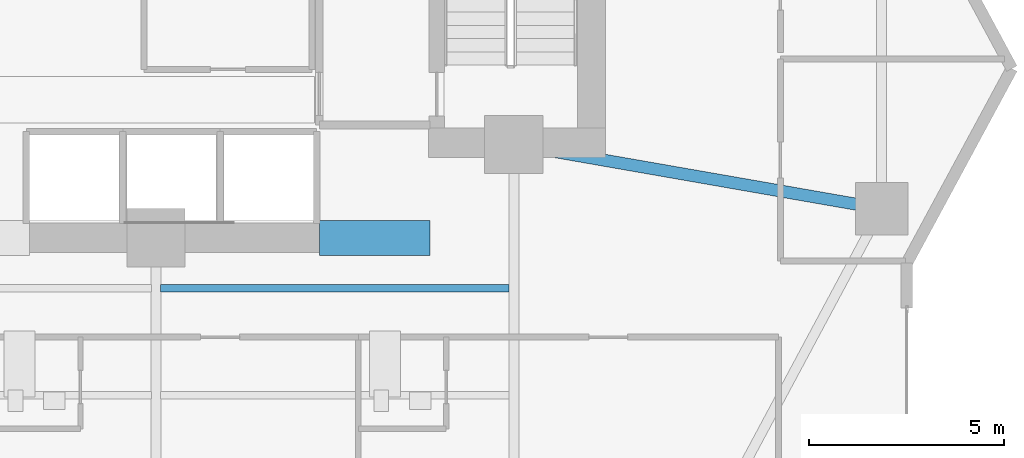
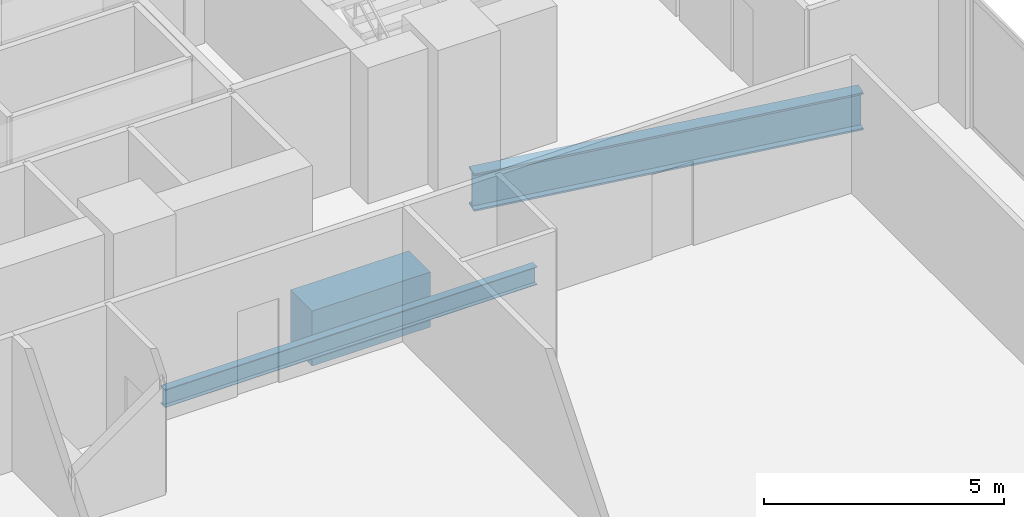
# One storey, part 12 of 27: 3 beams.
"""IFC4 building model written with IfcOpenShell, lengths in metres."""

from ifc_helpers import new_model, si_unit, direction, frame, origin, origin_2d, place, context, subcontext, project, spatial, rectangle, i_section, extrude, material, material_profile, profile_set, type_object, element, save


model = new_model("IFC4")

# Units and contexts
model_context = context("Model", 3, precision=1e-05, world=origin(), true_north=direction((0.0, 1.0)))
body_context = subcontext(model_context, "Body", "Model", "MODEL_VIEW")
ifc_project = project(units=[si_unit("LENGTHUNIT", "METRE"), si_unit("AREAUNIT", "SQUARE_METRE"), si_unit("VOLUMEUNIT", "CUBIC_METRE"), si_unit("PLANEANGLEUNIT", "RADIAN"), si_unit("MASSUNIT", "GRAM", prefix="KILO")], contexts=[model_context])

# Site, building, storey
site_placement = place(None, origin())
site = spatial("IfcSite", under=ifc_project, at=site_placement, CompositionType="ELEMENT")
building_placement = place(site_placement, origin())
building = spatial("IfcBuilding", under=site, at=building_placement, Name="Zuhayl Quay Hotel", CompositionType="ELEMENT")
storey_placement = place(building_placement, frame((0.0, 0.0, 117.550048828125)))
storey = spatial("IfcBuildingStorey", under=building, at=storey_placement, Name="L29", CompositionType="ELEMENT", Elevation=117.550048828125)

# Beams
ifc_material_1 = material(Name="Concrete C60/75", Category="concrete")
ifc_material_profile_1 = material_profile(ifc_material_1, rectangle(XDim=0.89990234375, YDim=1.39990234375, at=origin_2d()), Name="RC900X1400")
ifc_profile_set_1 = profile_set([ifc_material_profile_1], Name="Concrete C60/75")
beam_type_1 = type_object("IfcBeamType", Name="BM_CB1_RC900", PredefinedType="T_BEAM", material=ifc_profile_set_1)
beam_1_placement = place(storey_placement, frame((8.800048828125, 2.14990234375, -0.920166015625), z_axis=(1.0, 0.0, 0.0), x_axis=(0.0, 1.0, 0.0)))
element("IfcBeam", 1, at=beam_1_placement, inside=storey, type_object=beam_type_1, Name="L29 Core Coupling Beam SE", PredefinedType="T_BEAM", context=body_context, shape_type="SweptSolid", body=[
    extrude(rectangle(XDim=0.89990234375, YDim=1.39990234375, at=origin_2d()), origin(), (0.0, 0.0, 1.0), 2.849853515625),
])
ifc_material_2 = material(Name="Steel ASTM A992 Grade 50", Category="steel")
ifc_material_profile_2 = material_profile(ifc_material_2, i_section(OverallWidth=0.18994140625, OverallDepth=0.45703125, WebThickness=0.009033203125, FlangeThickness=0.014404296875, at=origin_2d()), Name="W18X50")
ifc_profile_set_2 = profile_set([ifc_material_profile_2], Name="Steel ASTM A992 Grade 50")
beam_type_2 = type_object("IfcBeamType", Name="BM_J2_W18X50", PredefinedType="JOIST", material=ifc_profile_set_2)
beam_2_placement = place(storey_placement, frame((4.718994140625, 0.85009765625, -0.448486328125), z_axis=(1.0, 0.0, 0.0), x_axis=(0.0, 1.0, 0.0)))
element("IfcBeam", 2, at=beam_2_placement, inside=storey, type_object=beam_type_2, Name="L29 Floor Beam FJ_L29_9_3", PredefinedType="JOIST", context=body_context, shape_type="SweptSolid", body=[
    extrude(i_section(OverallWidth=0.18994140625, OverallDepth=0.45703125, WebThickness=0.009033203125, FlangeThickness=0.014404296875, at=origin_2d()), origin(), (0.0, 0.0, 1.0), 8.9619140625),
])
ifc_material_profile_3 = material_profile(ifc_material_2, i_section(OverallWidth=0.31005859375, OverallDepth=0.949951171875, WebThickness=0.0244140625, FlangeThickness=0.0439453125, at=origin_2d()), Name="W36X256")
ifc_profile_set_3 = profile_set([ifc_material_profile_3], Name="Steel ASTM A992 Grade 50")
beam_type_3 = type_object("IfcBeamType", Name="BM_PG1_W36X256", PredefinedType="BEAM", material=ifc_profile_set_3)
beam_3_placement = place(storey_placement, frame((14.243408203125, 4.47265625, -0.695068359375), z_axis=(0.985097302632, -0.171997977741, 0.0), x_axis=(0.171997977741, 0.985097302632, 0.0)))
element("IfcBeam", 3, at=beam_3_placement, inside=storey, type_object=beam_type_3, Name="L29 Floor Beam FG_E_L29_1", PredefinedType="BEAM", context=body_context, shape_type="SweptSolid", body=[
    extrude(i_section(OverallWidth=0.31005859375, OverallDepth=0.949951171875, WebThickness=0.0244140625, FlangeThickness=0.0439453125, at=origin_2d()), origin(), (0.0, 0.0, 1.0), 8.64306640625),
])

save(model, "model.ifc")
